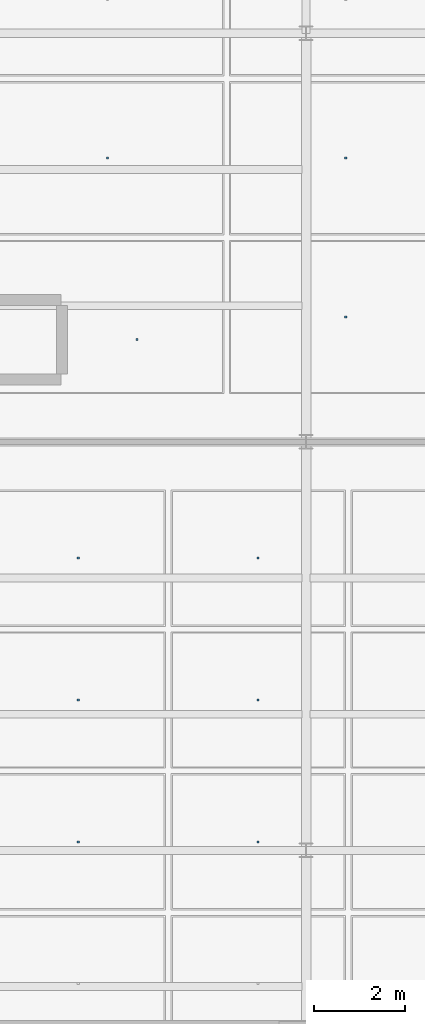
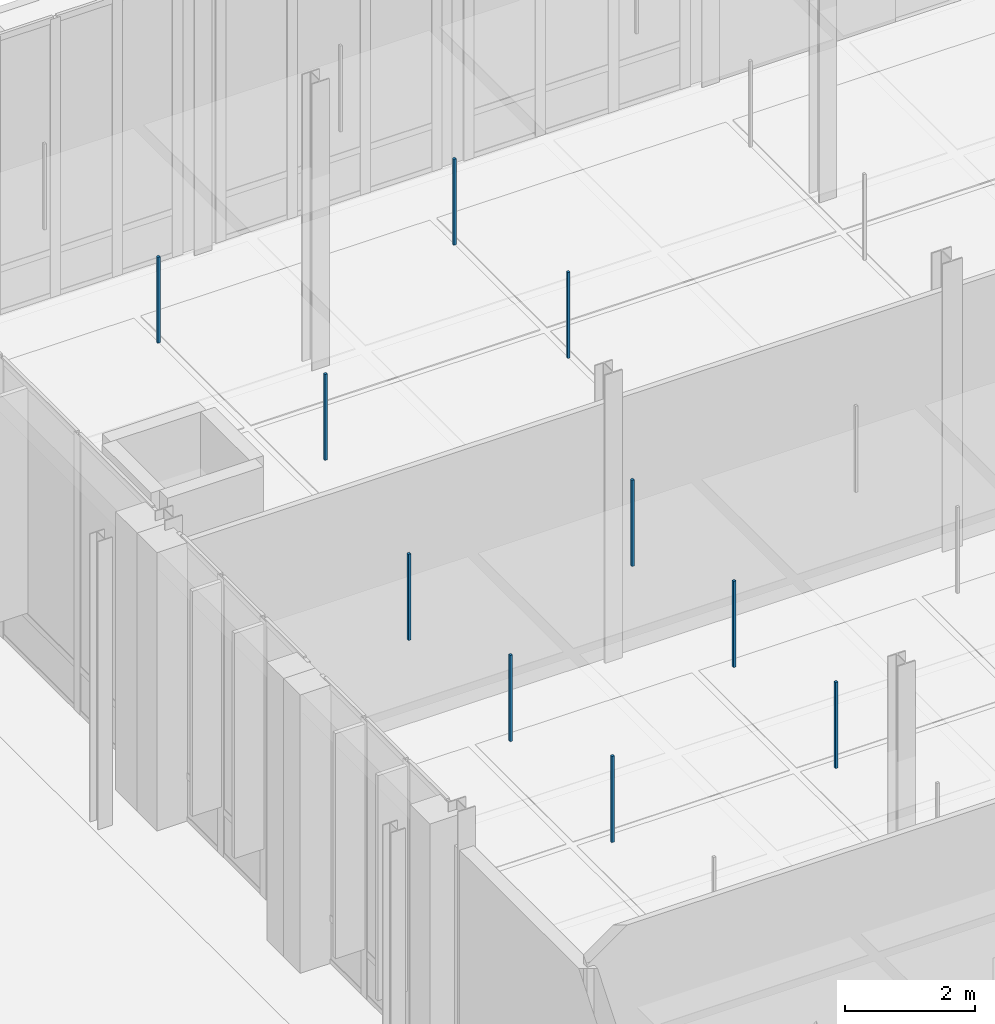
# One storey, part 125 of 180: 10 discrete accessories.
"""IFC4 building model written with IfcOpenShell, lengths in metres."""

from ifc_helpers import new_model, si_unit, direction, frame, origin, origin_2d, place, context, subcontext, project, spatial, rectangle, extrude, material, type_object, element, save


model = new_model("IFC4")

# Units and contexts
model_context = context("Model", 3, precision=1e-05, world=origin(), true_north=direction((0.0, 1.0)))
body_context = subcontext(model_context, "Body", "Model", "MODEL_VIEW")
ifc_project = project(units=[si_unit("LENGTHUNIT", "METRE"), si_unit("AREAUNIT", "SQUARE_METRE"), si_unit("VOLUMEUNIT", "CUBIC_METRE"), si_unit("PLANEANGLEUNIT", "RADIAN"), si_unit("MASSUNIT", "GRAM", prefix="KILO"), si_unit("THERMODYNAMICTEMPERATUREUNIT", "KELVIN"), si_unit("POWERUNIT", "WATT")], contexts=[model_context])

# Site, building, storey
site_placement = place(None, origin())
site = spatial("IfcSite", under=ifc_project, at=site_placement, CompositionType="ELEMENT")
building_placement = place(site_placement, origin())
building = spatial("IfcBuilding", under=site, at=building_placement, Name="Tallowbark Science Centre", CompositionType="ELEMENT")
storey_placement = place(building_placement, origin())
storey = spatial("IfcBuildingStorey", under=building, at=storey_placement, Name="L00", CompositionType="ELEMENT", Elevation=0.0)

# Discrete accessories
ifc_material = material(Name="Galvanised Steel Grade C350L0 (350 MPa)", Category="steel")
discrete_accessory_type = type_object("IfcDiscreteAccessoryType", Name="ACC-CLG-HNG", PredefinedType="BRACKET", material=ifc_material)
for number, where, z_axis, x_axis, name in (
    (1, (57.982177734375, 90.1875, 3.60498046875), (0.0, 0.0, 1.0), (1.0, 0.0, 0.0), "Ceiling Hanger Bracket L00-302"),
    (2, (57.982177734375, 93.3125, 3.60498046875), (0.0, 0.0, 1.0), (1.0, 0.0, 0.0), "Ceiling Hanger Bracket L00-303"),
    (3, (57.982177734375, 96.4375, 3.60498046875), (0.0, 0.0, 1.0), (1.0, 0.0, 0.0), "Ceiling Hanger Bracket L00-304"),
    (4, (61.9462890625, 90.1875, 3.60498046875), (0.0, 0.0, 1.0), (1.0, 0.0, 0.0), "Ceiling Hanger Bracket L00-310"),
    (5, (61.9462890625, 93.3125, 3.60498046875), (0.0, 0.0, 1.0), (1.0, 0.0, 0.0), "Ceiling Hanger Bracket L00-311"),
    (6, (61.9462890625, 96.4375, 3.60498046875), (0.0, 0.0, 1.0), (1.0, 0.0, 0.0), "Ceiling Hanger Bracket L00-312"),
):
    element("IfcDiscreteAccessory", number, at=place(storey_placement, frame(where, z_axis=z_axis, x_axis=x_axis)), inside=storey, type_object=discrete_accessory_type, Name=name, PredefinedType="BRACKET", context=body_context, shape_type="SweptSolid", body=[
        extrude(rectangle(XDim=0.044921875, YDim=0.044921875, at=origin_2d()), origin(), (0.0, 0.0, 1.0), 1.617919921875),
    ])
for number, where, z_axis, x_axis, name in (
    (7, (59.280029296875, 101.25, 3.609375), (0.0, 0.0, 1.0), (1.0, 0.0, 0.0), "Ceiling Hanger Bracket L00-397"),
    (8, (58.625, 105.25, 3.609375), (0.0, 0.0, 1.0), (1.0, 0.0, 0.0), "Ceiling Hanger Bracket L00-398"),
    (9, (63.875, 101.75, 3.609375), (0.0, 0.0, 1.0), (1.0, 0.0, 0.0), "Ceiling Hanger Bracket L00-400"),
    (10, (63.875, 105.25, 3.609375), (0.0, 0.0, 1.0), (1.0, 0.0, 0.0), "Ceiling Hanger Bracket L00-401"),
):
    element("IfcDiscreteAccessory", number, at=place(storey_placement, frame(where, z_axis=z_axis, x_axis=x_axis)), inside=storey, type_object=discrete_accessory_type, Name=name, PredefinedType="BRACKET", context=body_context, shape_type="SweptSolid", body=[
        extrude(rectangle(XDim=0.044921875, YDim=0.044921875, at=origin_2d()), origin(), (0.0, 0.0, 1.0), 1.613525390625),
    ])

save(model, "model.ifc")
